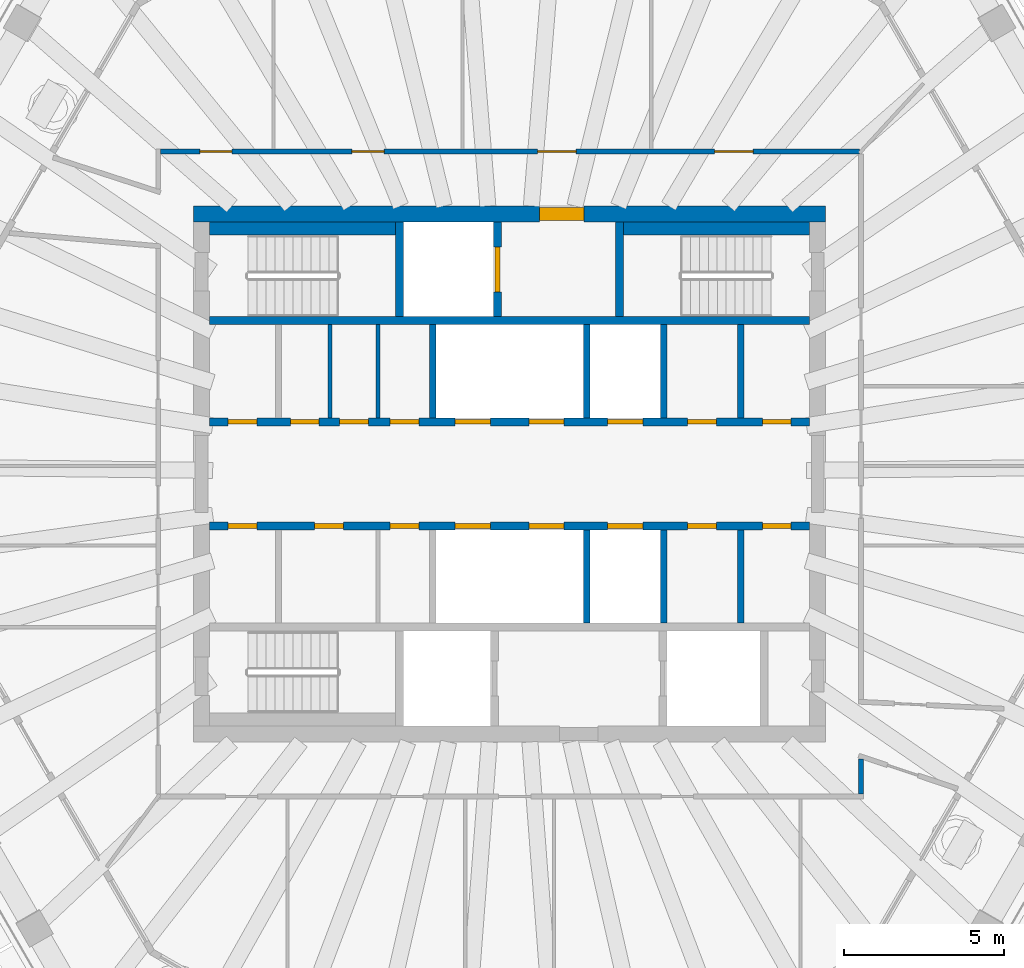
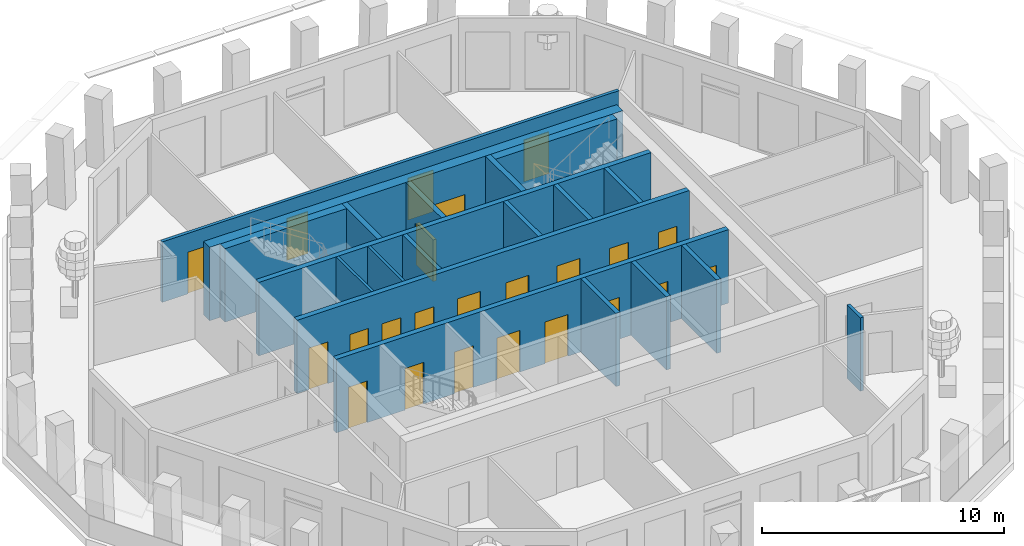
# One storey, part 5 of 11: 23 doors, 20 walls, 23 openings.
"""IFC4 building model written with IfcOpenShell, lengths in metres."""

from ifc_helpers import new_model, si_unit, direction, frame, frame_2d, origin, place, context, subcontext, project, spatial, rectangle, extrude, material, layer, layer_set, type_object, element, fill, save


model = new_model("IFC4")

# Units and contexts
model_context = context("Model", 3, precision=1e-05, world=origin(), true_north=direction((0.0, 1.0)))
body_context = subcontext(model_context, "Body", "Model", "MODEL_VIEW")
ifc_project = project(units=[si_unit("LENGTHUNIT", "METRE"), si_unit("AREAUNIT", "SQUARE_METRE"), si_unit("VOLUMEUNIT", "CUBIC_METRE"), si_unit("PLANEANGLEUNIT", "RADIAN"), si_unit("MASSUNIT", "GRAM", prefix="KILO")], contexts=[model_context])

# Site, building, storey
site_placement = place(None, origin())
site = spatial("IfcSite", under=ifc_project, at=site_placement, CompositionType="ELEMENT")
building_placement = place(site_placement, origin())
building = spatial("IfcBuilding", under=site, at=building_placement, Name="Frailejon Research Tower", CompositionType="ELEMENT")
storey_placement = place(building_placement, frame((0.0, 0.0, 316.60009765625)))
storey = spatial("IfcBuildingStorey", under=building, at=storey_placement, Name="L70", CompositionType="ELEMENT", Elevation=316.60009765625)

# Walls
ifc_material_1 = material(Name="Plasterboard on steel studs", Category="steel")
ifc_layer_1 = layer(ifc_material_1, 0.125)
ifc_layer_set_1 = layer_set([ifc_layer_1], Name="Core partition 125")
wall_type_1 = type_object("IfcWallType", Name="Core partition 125", PredefinedType="PARTITIONING", material=ifc_layer_set_1)
for number, where, z_axis, x_axis, name in (
    (1, (-5.60009765625, 1.75, 0.0), (0.0, 0.0, 1.0), (0.0, 1.0, 0.0), "Core partition"),
    (2, (-4.10009765625, 1.75, 0.0), (0.0, 0.0, 1.0), (0.0, 1.0, 0.0), "Core partition"),
):
    element("IfcWall", number, at=place(storey_placement, frame(where, z_axis=z_axis, x_axis=x_axis)), inside=storey, type_object=wall_type_1, Name=name, PredefinedType="PARTITIONING", context=body_context, shape_type="SweptSolid", body=[
        extrude(rectangle(XDim=2.89990234375, YDim=0.125, at=frame_2d((1.449951171875, 0.0))), origin(), (0.0, 0.0, 1.0), 3.699951171875),
    ])

# Wall, opening, door
ifc_material_2 = material(Name="Concrete C50/60", Category="concrete")
ifc_layer_2 = layer(ifc_material_2, 0.5)
ifc_layer_set_2 = layer_set([ifc_layer_2], Name="Core shear wall 500 C50/60")
wall_type_2 = type_object("IfcWallType", Name="Core shear wall 500 C50/60", PredefinedType="SHEAR", material=ifc_layer_set_2)
wall_1_placement = place(storey_placement, frame((-9.85009765625, 8.10009765625, 0.0), z_axis=(0.0, 0.0, 1.0), x_axis=(1.0, 0.0, 0.0)))
wall_1 = element("IfcWall", 3, at=wall_1_placement, inside=storey, type_object=wall_type_2, Name="Core shear wall", PredefinedType="SHEAR", context=body_context, shape_type="SweptSolid", body=[
    extrude(rectangle(XDim=19.7001953125, YDim=0.5, at=frame_2d((9.85009765625, 0.0))), origin(), (0.0, 0.0, 1.0), 3.699951171875),
])
opening_1_placement = place(wall_1_placement, frame((10.77490234375, 0.0, 0.0)))
opening_1 = element("IfcOpeningElement", 4, at=opening_1_placement, cuts=wall_1, Name="Opening D9", PredefinedType="OPENING", context=body_context, shape_type="SweptSolid", body=[
    extrude(rectangle(XDim=1.39990234375, YDim=2.10009765625, at=frame_2d((0.699951171875, 1.050048828125))), frame((0.0, 0.260009765625, 0.0), z_axis=(0.0, -1.0, 0.0), x_axis=(1.0, 0.0, 0.0)), (0.0, 0.0, 1.0), 0.52001953125),
])
ifc_material_3 = material(Name="Steel", Category="steel")
door_type_1 = type_object("IfcDoorType", Name="Goods lobby door", OperationType="DOUBLE_DOOR_SINGLE_SWING", PredefinedType="DOOR", material=ifc_material_3)
door_1_placement = place(opening_1_placement, origin())
door_1 = element("IfcDoor", 5, at=door_1_placement, inside=storey, type_object=door_type_1, Name="Goods lobby door", OperationType="DOUBLE_DOOR_SINGLE_SWING", OverallHeight=2.10009765625, OverallWidth=1.39990234375, PredefinedType="DOOR", context=body_context, shape_type="SweptSolid", body=[
    extrude(rectangle(XDim=1.39990234375, YDim=2.10009765625, at=frame_2d((0.699951171875, 1.050048828125))), frame((0.0, 0.199951171875, 0.0), z_axis=(0.0, -1.0, 0.0), x_axis=(1.0, 0.0, 0.0)), (0.0, 0.0, 1.0), 0.39990234375),
])
fill(opening_1, door_1)

# Wall
ifc_material_4 = material(Name="Gypsum board and masonry partition", Category="masonry")
ifc_layer_3 = layer(ifc_material_4, 0.14990234375)
ifc_layer_set_3 = layer_set([ifc_layer_3], Name="Corridor wall EI 60, gypsum on steel studs 150")
wall_type_3 = type_object("IfcWallType", Name="Corridor wall EI 60, gypsum on steel studs 150", PredefinedType="PARTITIONING", material=ifc_layer_set_3)
wall_2_placement = place(storey_placement, frame((10.949951171875, -9.97509765625, 0.0), z_axis=(0.0, 0.0, 1.0), x_axis=(0.0, 1.0, 0.0)))
element("IfcWall", 6, at=wall_2_placement, inside=storey, type_object=wall_type_3, Name="T:IW:L70:001", PredefinedType="PARTITIONING", context=body_context, shape_type="SweptSolid", body=[
    extrude(rectangle(XDim=1.10009765625, YDim=0.14990234375, at=frame_2d((0.550048828125, 0.0))), origin(), (0.0, 0.0, 1.0), 3.699951171875),
])

# Wall, openings, doors
wall_3_placement = place(storey_placement, frame((-10.875, 10.050048828125, 0.0), z_axis=(0.0, 0.0, 1.0), x_axis=(1.0, 0.0, 0.0)))
wall_3 = element("IfcWall", 7, at=wall_3_placement, inside=storey, type_object=wall_type_3, Name="T:IW:L70:003", PredefinedType="PARTITIONING", context=body_context, shape_type="SweptSolid", body=[
    extrude(rectangle(XDim=21.77490234375, YDim=0.14990234375, at=frame_2d((10.887451171875, 0.0))), origin(), (0.0, 0.0, 1.0), 3.0498046875),
])
opening_2_placement = place(wall_3_placement, frame((17.260498046875, 0.0, 0.0)))
opening_2 = element("IfcOpeningElement", 8, at=opening_2_placement, cuts=wall_3, Name="Opening D2317", PredefinedType="OPENING", context=body_context, shape_type="SweptSolid", body=[
    extrude(rectangle(XDim=1.199951171875, YDim=2.10009765625, at=frame_2d((0.60009765625, 1.050048828125))), frame((0.0, 0.0849609375, 0.0), z_axis=(0.0, -1.0, 0.0), x_axis=(1.0, 0.0, 0.0)), (0.0, 0.0, 1.0), 0.169921875),
])
opening_3_placement = place(wall_3_placement, frame((11.745849609375, 0.0, 0.0)))
opening_3 = element("IfcOpeningElement", 9, at=opening_3_placement, cuts=wall_3, Name="Opening D2318", PredefinedType="OPENING", context=body_context, shape_type="SweptSolid", body=[
    extrude(rectangle(XDim=1.199951171875, YDim=2.10009765625, at=frame_2d((0.60009765625, 1.050048828125))), frame((0.0, 0.0849609375, 0.0), z_axis=(0.0, -1.0, 0.0), x_axis=(1.0, 0.0, 0.0)), (0.0, 0.0, 1.0), 0.169921875),
])
opening_4_placement = place(wall_3_placement, frame((5.962646484375, 0.0, 0.0)))
opening_4 = element("IfcOpeningElement", 10, at=opening_4_placement, cuts=wall_3, Name="Opening D2319", PredefinedType="OPENING", context=body_context, shape_type="SweptSolid", body=[
    extrude(rectangle(XDim=1.0, YDim=2.10009765625, at=frame_2d((0.5, 1.050048828125))), frame((0.0, 0.0849609375, 0.0), z_axis=(0.0, -1.0, 0.0), x_axis=(1.0, 0.0, 0.0)), (0.0, 0.0, 1.0), 0.169921875),
])
opening_5_placement = place(wall_3_placement, frame((1.222900390625, 0.0, 0.0)))
opening_5 = element("IfcOpeningElement", 11, at=opening_5_placement, cuts=wall_3, Name="Opening D2320", PredefinedType="OPENING", context=body_context, shape_type="SweptSolid", body=[
    extrude(rectangle(XDim=1.0, YDim=2.10009765625, at=frame_2d((0.5, 1.050048828125))), frame((0.0, 0.0849609375, 0.0), z_axis=(0.0, -1.0, 0.0), x_axis=(1.0, 0.0, 0.0)), (0.0, 0.0, 1.0), 0.169921875),
])
ifc_material_5 = material(Name="Timber door leaf", Category="wood")
door_type_2 = type_object("IfcDoorType", Name="Door single leaf, timber, steel frame 1000", OperationType="NOTDEFINED", PredefinedType="DOOR", material=ifc_material_5)
door_2_placement = place(opening_4_placement, origin())
door_2 = element("IfcDoor", 12, at=door_2_placement, inside=storey, type_object=door_type_2, Name="D2319", OperationType="SINGLE_SWING_LEFT", OverallHeight=2.10009765625, OverallWidth=1.0, PredefinedType="DOOR", context=body_context, shape_type="SweptSolid", body=[
    extrude(rectangle(XDim=1.0, YDim=2.10009765625, at=frame_2d((0.5, 1.050048828125))), frame((0.0, 0.02490234375, 0.0), z_axis=(0.0, -1.0, 0.0), x_axis=(1.0, 0.0, 0.0)), (0.0, 0.0, 1.0), 0.050048828125),
])
fill(opening_4, door_2)
door_3_placement = place(opening_5_placement, origin())
door_3 = element("IfcDoor", 13, at=door_3_placement, inside=storey, type_object=door_type_2, Name="D2320", OperationType="SINGLE_SWING_LEFT", OverallHeight=2.10009765625, OverallWidth=1.0, PredefinedType="DOOR", context=body_context, shape_type="SweptSolid", body=[
    extrude(rectangle(XDim=1.0, YDim=2.10009765625, at=frame_2d((0.5, 1.050048828125))), frame((0.0, 0.02490234375, 0.0), z_axis=(0.0, -1.0, 0.0), x_axis=(1.0, 0.0, 0.0)), (0.0, 0.0, 1.0), 0.050048828125),
])
fill(opening_5, door_3)
ifc_material_6 = material(Name="Timber door leaf", Category="wood")
door_type_3 = type_object("IfcDoorType", Name="Door single leaf, timber, steel frame 1200", OperationType="NOTDEFINED", PredefinedType="DOOR", material=ifc_material_6)
door_4_placement = place(opening_2_placement, origin())
door_4 = element("IfcDoor", 14, at=door_4_placement, inside=storey, type_object=door_type_3, Name="D2317", OperationType="DOUBLE_DOOR_SINGLE_SWING", OverallHeight=2.10009765625, OverallWidth=1.199951171875, PredefinedType="DOOR", context=body_context, shape_type="SweptSolid", body=[
    extrude(rectangle(XDim=1.199951171875, YDim=2.10009765625, at=frame_2d((0.60009765625, 1.050048828125))), frame((0.0, 0.02490234375, 0.0), z_axis=(0.0, -1.0, 0.0), x_axis=(1.0, 0.0, 0.0)), (0.0, 0.0, 1.0), 0.050048828125),
])
fill(opening_2, door_4)
door_5_placement = place(opening_3_placement, origin())
door_5 = element("IfcDoor", 15, at=door_5_placement, inside=storey, type_object=door_type_3, Name="D2318", OperationType="DOUBLE_DOOR_SINGLE_SWING", OverallHeight=2.10009765625, OverallWidth=1.199951171875, PredefinedType="DOOR", context=body_context, shape_type="SweptSolid", body=[
    extrude(rectangle(XDim=1.199951171875, YDim=2.10009765625, at=frame_2d((0.60009765625, 1.050048828125))), frame((0.0, 0.02490234375, 0.0), z_axis=(0.0, -1.0, 0.0), x_axis=(1.0, 0.0, 0.0)), (0.0, 0.0, 1.0), 0.050048828125),
])
fill(opening_3, door_5)

# Walls
ifc_material_7 = material(Name="Concrete C50/60", Category="concrete")
ifc_layer_4 = layer(ifc_material_7, 0.199951171875)
ifc_layer_set_4 = layer_set([ifc_layer_4], Name="Shaft wall 200 C50/60")
wall_type_4 = type_object("IfcWallType", Name="Shaft wall 200 C50/60", PredefinedType="SOLIDWALL", material=ifc_layer_set_4)
for number, where, z_axis, x_axis, name in (
    (16, (-2.39990234375, 1.75, 0.0), (0.0, 0.0, 1.0), (0.0, 1.0, 0.0), "Shaft wall"),
    (17, (2.39990234375, 1.75, 0.0), (0.0, 0.0, 1.0), (0.0, 1.0, 0.0), "Shaft wall"),
    (18, (4.800048828125, 1.75, 0.0), (0.0, 0.0, 1.0), (0.0, 1.0, 0.0), "Shaft wall"),
    (19, (7.199951171875, 1.75, 0.0), (0.0, 0.0, 1.0), (0.0, 1.0, 0.0), "Shaft wall"),
    (20, (2.39990234375, -4.64990234375, 0.0), (0.0, 0.0, 1.0), (0.0, 1.0, 0.0), "Shaft wall"),
    (21, (4.800048828125, -4.64990234375, 0.0), (0.0, 0.0, 1.0), (0.0, 1.0, 0.0), "Shaft wall"),
    (22, (7.199951171875, -4.64990234375, 0.0), (0.0, 0.0, 1.0), (0.0, 1.0, 0.0), "Shaft wall"),
):
    element("IfcWall", number, at=place(storey_placement, frame(where, z_axis=z_axis, x_axis=x_axis)), inside=storey, type_object=wall_type_4, Name=name, PredefinedType="SOLIDWALL", context=body_context, shape_type="SweptSolid", body=[
        extrude(rectangle(XDim=2.89990234375, YDim=0.199951171875, at=frame_2d((1.449951171875, 0.0))), origin(), (0.0, 0.0, 1.0), 3.699951171875),
    ])

# Wall, openings, doors
ifc_material_8 = material(Name="Concrete C50/60", Category="concrete")
ifc_layer_5 = layer(ifc_material_8, 0.25)
ifc_layer_set_5 = layer_set([ifc_layer_5], Name="Shaft wall 250 C50/60")
wall_type_5 = type_object("IfcWallType", Name="Shaft wall 250 C50/60", PredefinedType="SOLIDWALL", material=ifc_layer_set_5)
wall_4_placement = place(storey_placement, frame((-9.35009765625, 1.625, 0.0), z_axis=(0.0, 0.0, 1.0), x_axis=(1.0, 0.0, 0.0)))
wall_4 = element("IfcWall", 23, at=wall_4_placement, inside=storey, type_object=wall_type_5, Name="Shaft wall", PredefinedType="SOLIDWALL", context=body_context, shape_type="SweptSolid", body=[
    extrude(rectangle(XDim=18.7001953125, YDim=0.25, at=frame_2d((9.35009765625, 0.0))), origin(), (0.0, 0.0, 1.0), 3.699951171875),
])
opening_6_placement = place(wall_4_placement, frame((7.64990234375, 0.0, 0.0)))
opening_6 = element("IfcOpeningElement", 24, at=opening_6_placement, cuts=wall_4, Name="Opening LD", PredefinedType="OPENING", context=body_context, shape_type="SweptSolid", body=[
    extrude(rectangle(XDim=1.10009765625, YDim=2.10009765625, at=frame_2d((0.550048828125, 1.050048828125))), frame((0.0, 0.135009765625, 0.0), z_axis=(0.0, -1.0, 0.0), x_axis=(1.0, 0.0, 0.0)), (0.0, 0.0, 1.0), 0.27001953125),
])
opening_7_placement = place(wall_4_placement, frame((9.949951171875, 0.0, 0.0)))
opening_7 = element("IfcOpeningElement", 25, at=opening_7_placement, cuts=wall_4, Name="Opening LD", PredefinedType="OPENING", context=body_context, shape_type="SweptSolid", body=[
    extrude(rectangle(XDim=1.10009765625, YDim=2.10009765625, at=frame_2d((0.550048828125, 1.050048828125))), frame((0.0, 0.135009765625, 0.0), z_axis=(0.0, -1.0, 0.0), x_axis=(1.0, 0.0, 0.0)), (0.0, 0.0, 1.0), 0.27001953125),
])
opening_8_placement = place(wall_4_placement, frame((12.39990234375, 0.0, 0.0)))
opening_8 = element("IfcOpeningElement", 26, at=opening_8_placement, cuts=wall_4, Name="Opening LD", PredefinedType="OPENING", context=body_context, shape_type="SweptSolid", body=[
    extrude(rectangle(XDim=1.10009765625, YDim=2.10009765625, at=frame_2d((0.550048828125, 1.050048828125))), frame((0.0, 0.135009765625, 0.0), z_axis=(0.0, -1.0, 0.0), x_axis=(1.0, 0.0, 0.0)), (0.0, 0.0, 1.0), 0.27001953125),
])
opening_9_placement = place(wall_4_placement, frame((0.574951171875, 0.0, 0.0)))
opening_9 = element("IfcOpeningElement", 27, at=opening_9_placement, cuts=wall_4, Name="Opening D8", PredefinedType="OPENING", context=body_context, shape_type="SweptSolid", body=[
    extrude(rectangle(XDim=0.89990234375, YDim=2.10009765625, at=frame_2d((0.449951171875, 1.050048828125))), frame((0.0, 0.135009765625, 0.0), z_axis=(0.0, -1.0, 0.0), x_axis=(1.0, 0.0, 0.0)), (0.0, 0.0, 1.0), 0.27001953125),
])
opening_10_placement = place(wall_4_placement, frame((2.518798828125, 0.0, 0.0)))
opening_10 = element("IfcOpeningElement", 28, at=opening_10_placement, cuts=wall_4, Name="Opening D8", PredefinedType="OPENING", context=body_context, shape_type="SweptSolid", body=[
    extrude(rectangle(XDim=0.89990234375, YDim=2.10009765625, at=frame_2d((0.449951171875, 1.050048828125))), frame((0.0, 0.135009765625, 0.0), z_axis=(0.0, -1.0, 0.0), x_axis=(1.0, 0.0, 0.0)), (0.0, 0.0, 1.0), 0.27001953125),
])
opening_11_placement = place(wall_4_placement, frame((4.050048828125, 0.0, 0.0)))
opening_11 = element("IfcOpeningElement", 29, at=opening_11_placement, cuts=wall_4, Name="Opening D8", PredefinedType="OPENING", context=body_context, shape_type="SweptSolid", body=[
    extrude(rectangle(XDim=0.89990234375, YDim=2.10009765625, at=frame_2d((0.449951171875, 1.050048828125))), frame((0.0, 0.135009765625, 0.0), z_axis=(0.0, -1.0, 0.0), x_axis=(1.0, 0.0, 0.0)), (0.0, 0.0, 1.0), 0.27001953125),
])
opening_12_placement = place(wall_4_placement, frame((5.631103515625, 0.0, 0.0)))
opening_12 = element("IfcOpeningElement", 30, at=opening_12_placement, cuts=wall_4, Name="Opening D8", PredefinedType="OPENING", context=body_context, shape_type="SweptSolid", body=[
    extrude(rectangle(XDim=0.89990234375, YDim=2.10009765625, at=frame_2d((0.449951171875, 1.050048828125))), frame((0.0, 0.135009765625, 0.0), z_axis=(0.0, -1.0, 0.0), x_axis=(1.0, 0.0, 0.0)), (0.0, 0.0, 1.0), 0.27001953125),
])
opening_13_placement = place(wall_4_placement, frame((14.89990234375, 0.0, 0.0)))
opening_13 = element("IfcOpeningElement", 31, at=opening_13_placement, cuts=wall_4, Name="Opening D8", PredefinedType="OPENING", context=body_context, shape_type="SweptSolid", body=[
    extrude(rectangle(XDim=0.89990234375, YDim=2.10009765625, at=frame_2d((0.449951171875, 1.050048828125))), frame((0.0, 0.135009765625, 0.0), z_axis=(0.0, -1.0, 0.0), x_axis=(1.0, 0.0, 0.0)), (0.0, 0.0, 1.0), 0.27001953125),
])
opening_14_placement = place(wall_4_placement, frame((17.22509765625, 0.0, 0.0)))
opening_14 = element("IfcOpeningElement", 32, at=opening_14_placement, cuts=wall_4, Name="Opening D8", PredefinedType="OPENING", context=body_context, shape_type="SweptSolid", body=[
    extrude(rectangle(XDim=0.89990234375, YDim=2.10009765625, at=frame_2d((0.449951171875, 1.050048828125))), frame((0.0, 0.135009765625, 0.0), z_axis=(0.0, -1.0, 0.0), x_axis=(1.0, 0.0, 0.0)), (0.0, 0.0, 1.0), 0.27001953125),
])
ifc_material_9 = material(Name="Steel", Category="steel")
door_type_4 = type_object("IfcDoorType", Name="Core room door", OperationType="SINGLE_SWING_LEFT", PredefinedType="DOOR", material=ifc_material_9)
door_6_placement = place(opening_9_placement, origin())
door_6 = element("IfcDoor", 33, at=door_6_placement, inside=storey, type_object=door_type_4, Name="Room door", OperationType="SINGLE_SWING_LEFT", OverallHeight=2.10009765625, OverallWidth=0.89990234375, PredefinedType="DOOR", context=body_context, shape_type="SweptSolid", body=[
    extrude(rectangle(XDim=0.89990234375, YDim=2.10009765625, at=frame_2d((0.449951171875, 1.050048828125))), frame((0.0, 0.074951171875, 0.0), z_axis=(0.0, -1.0, 0.0), x_axis=(1.0, 0.0, 0.0)), (0.0, 0.0, 1.0), 0.14990234375),
])
fill(opening_9, door_6)
door_7_placement = place(opening_10_placement, origin())
door_7 = element("IfcDoor", 34, at=door_7_placement, inside=storey, type_object=door_type_4, Name="Room door", OperationType="SINGLE_SWING_RIGHT", OverallHeight=2.10009765625, OverallWidth=0.89990234375, PredefinedType="DOOR", context=body_context, shape_type="SweptSolid", body=[
    extrude(rectangle(XDim=0.89990234375, YDim=2.10009765625, at=frame_2d((0.449951171875, 1.050048828125))), frame((0.0, 0.074951171875, 0.0), z_axis=(0.0, -1.0, 0.0), x_axis=(1.0, 0.0, 0.0)), (0.0, 0.0, 1.0), 0.14990234375),
])
fill(opening_10, door_7)
door_8_placement = place(opening_11_placement, origin())
door_8 = element("IfcDoor", 35, at=door_8_placement, inside=storey, type_object=door_type_4, Name="Room door", OperationType="SINGLE_SWING_LEFT", OverallHeight=2.10009765625, OverallWidth=0.89990234375, PredefinedType="DOOR", context=body_context, shape_type="SweptSolid", body=[
    extrude(rectangle(XDim=0.89990234375, YDim=2.10009765625, at=frame_2d((0.449951171875, 1.050048828125))), frame((0.0, 0.074951171875, 0.0), z_axis=(0.0, -1.0, 0.0), x_axis=(1.0, 0.0, 0.0)), (0.0, 0.0, 1.0), 0.14990234375),
])
fill(opening_11, door_8)
door_9_placement = place(opening_12_placement, origin())
door_9 = element("IfcDoor", 36, at=door_9_placement, inside=storey, type_object=door_type_4, Name="Room door", OperationType="SINGLE_SWING_RIGHT", OverallHeight=2.10009765625, OverallWidth=0.89990234375, PredefinedType="DOOR", context=body_context, shape_type="SweptSolid", body=[
    extrude(rectangle(XDim=0.89990234375, YDim=2.10009765625, at=frame_2d((0.449951171875, 1.050048828125))), frame((0.0, 0.074951171875, 0.0), z_axis=(0.0, -1.0, 0.0), x_axis=(1.0, 0.0, 0.0)), (0.0, 0.0, 1.0), 0.14990234375),
])
fill(opening_12, door_9)
door_10_placement = place(opening_13_placement, origin())
door_10 = element("IfcDoor", 37, at=door_10_placement, inside=storey, type_object=door_type_4, Name="Room door", OperationType="SINGLE_SWING_LEFT", OverallHeight=2.10009765625, OverallWidth=0.89990234375, PredefinedType="DOOR", context=body_context, shape_type="SweptSolid", body=[
    extrude(rectangle(XDim=0.89990234375, YDim=2.10009765625, at=frame_2d((0.449951171875, 1.050048828125))), frame((0.0, 0.074951171875, 0.0), z_axis=(0.0, -1.0, 0.0), x_axis=(1.0, 0.0, 0.0)), (0.0, 0.0, 1.0), 0.14990234375),
])
fill(opening_13, door_10)
door_11_placement = place(opening_14_placement, origin())
door_11 = element("IfcDoor", 38, at=door_11_placement, inside=storey, type_object=door_type_4, Name="Room door", OperationType="SINGLE_SWING_RIGHT", OverallHeight=2.10009765625, OverallWidth=0.89990234375, PredefinedType="DOOR", context=body_context, shape_type="SweptSolid", body=[
    extrude(rectangle(XDim=0.89990234375, YDim=2.10009765625, at=frame_2d((0.449951171875, 1.050048828125))), frame((0.0, 0.074951171875, 0.0), z_axis=(0.0, -1.0, 0.0), x_axis=(1.0, 0.0, 0.0)), (0.0, 0.0, 1.0), 0.14990234375),
])
fill(opening_14, door_11)
ifc_material_10 = material(Name="Steel", Category="steel")
door_type_5 = type_object("IfcDoorType", Name="Lift landing door", OperationType="DOUBLE_DOOR_SLIDING", PredefinedType="DOOR", material=ifc_material_10)
door_12_placement = place(opening_6_placement, origin())
door_12 = element("IfcDoor", 39, at=door_12_placement, inside=storey, type_object=door_type_5, Name="Lift landing door", OperationType="DOUBLE_DOOR_SLIDING", OverallHeight=2.10009765625, OverallWidth=1.10009765625, PredefinedType="DOOR", context=body_context, shape_type="SweptSolid", body=[
    extrude(rectangle(XDim=1.10009765625, YDim=2.10009765625, at=frame_2d((0.550048828125, 1.050048828125))), frame((0.0, 0.074951171875, 0.0), z_axis=(0.0, -1.0, 0.0), x_axis=(1.0, 0.0, 0.0)), (0.0, 0.0, 1.0), 0.14990234375),
])
fill(opening_6, door_12)
door_13_placement = place(opening_7_placement, origin())
door_13 = element("IfcDoor", 40, at=door_13_placement, inside=storey, type_object=door_type_5, Name="Lift landing door", OperationType="DOUBLE_DOOR_SLIDING", OverallHeight=2.10009765625, OverallWidth=1.10009765625, PredefinedType="DOOR", context=body_context, shape_type="SweptSolid", body=[
    extrude(rectangle(XDim=1.10009765625, YDim=2.10009765625, at=frame_2d((0.550048828125, 1.050048828125))), frame((0.0, 0.074951171875, 0.0), z_axis=(0.0, -1.0, 0.0), x_axis=(1.0, 0.0, 0.0)), (0.0, 0.0, 1.0), 0.14990234375),
])
fill(opening_7, door_13)
door_14_placement = place(opening_8_placement, origin())
door_14 = element("IfcDoor", 41, at=door_14_placement, inside=storey, type_object=door_type_5, Name="Lift landing door", OperationType="DOUBLE_DOOR_SLIDING", OverallHeight=2.10009765625, OverallWidth=1.10009765625, PredefinedType="DOOR", context=body_context, shape_type="SweptSolid", body=[
    extrude(rectangle(XDim=1.10009765625, YDim=2.10009765625, at=frame_2d((0.550048828125, 1.050048828125))), frame((0.0, 0.074951171875, 0.0), z_axis=(0.0, -1.0, 0.0), x_axis=(1.0, 0.0, 0.0)), (0.0, 0.0, 1.0), 0.14990234375),
])
fill(opening_8, door_14)

# Wall
wall_5_placement = place(storey_placement, frame((-9.35009765625, 4.77490234375, 0.0), z_axis=(0.0, 0.0, 1.0), x_axis=(1.0, 0.0, 0.0)))
element("IfcWall", 42, at=wall_5_placement, inside=storey, type_object=wall_type_5, Name="Shaft wall", PredefinedType="SOLIDWALL", context=body_context, shape_type="SweptSolid", body=[
    extrude(rectangle(XDim=18.7001953125, YDim=0.25, at=frame_2d((9.35009765625, 0.0))), origin(), (0.0, 0.0, 1.0), 3.699951171875),
])

# Wall, openings, doors
wall_6_placement = place(storey_placement, frame((-9.35009765625, -1.625, 0.0), z_axis=(0.0, 0.0, 1.0), x_axis=(1.0, 0.0, 0.0)))
wall_6 = element("IfcWall", 43, at=wall_6_placement, inside=storey, type_object=wall_type_5, Name="Shaft wall", PredefinedType="SOLIDWALL", context=body_context, shape_type="SweptSolid", body=[
    extrude(rectangle(XDim=18.7001953125, YDim=0.25, at=frame_2d((9.35009765625, 0.0))), origin(), (0.0, 0.0, 1.0), 3.699951171875),
])
opening_15_placement = place(wall_6_placement, frame((7.64990234375, 0.0, 0.0)))
opening_15 = element("IfcOpeningElement", 44, at=opening_15_placement, cuts=wall_6, Name="Opening LD", PredefinedType="OPENING", context=body_context, shape_type="SweptSolid", body=[
    extrude(rectangle(XDim=1.10009765625, YDim=2.10009765625, at=frame_2d((0.550048828125, 1.050048828125))), frame((0.0, 0.135009765625, 0.0), z_axis=(0.0, -1.0, 0.0), x_axis=(1.0, 0.0, 0.0)), (0.0, 0.0, 1.0), 0.27001953125),
])
opening_16_placement = place(wall_6_placement, frame((9.949951171875, 0.0, 0.0)))
opening_16 = element("IfcOpeningElement", 45, at=opening_16_placement, cuts=wall_6, Name="Opening LD", PredefinedType="OPENING", context=body_context, shape_type="SweptSolid", body=[
    extrude(rectangle(XDim=1.10009765625, YDim=2.10009765625, at=frame_2d((0.550048828125, 1.050048828125))), frame((0.0, 0.135009765625, 0.0), z_axis=(0.0, -1.0, 0.0), x_axis=(1.0, 0.0, 0.0)), (0.0, 0.0, 1.0), 0.27001953125),
])
opening_17_placement = place(wall_6_placement, frame((12.39990234375, 0.0, 0.0)))
opening_17 = element("IfcOpeningElement", 46, at=opening_17_placement, cuts=wall_6, Name="Opening LD", PredefinedType="OPENING", context=body_context, shape_type="SweptSolid", body=[
    extrude(rectangle(XDim=1.10009765625, YDim=2.10009765625, at=frame_2d((0.550048828125, 1.050048828125))), frame((0.0, 0.135009765625, 0.0), z_axis=(0.0, -1.0, 0.0), x_axis=(1.0, 0.0, 0.0)), (0.0, 0.0, 1.0), 0.27001953125),
])
opening_18_placement = place(wall_6_placement, frame((0.574951171875, 0.0, 0.0)))
opening_18 = element("IfcOpeningElement", 47, at=opening_18_placement, cuts=wall_6, Name="Opening D8", PredefinedType="OPENING", context=body_context, shape_type="SweptSolid", body=[
    extrude(rectangle(XDim=0.89990234375, YDim=2.10009765625, at=frame_2d((0.449951171875, 1.050048828125))), frame((0.0, 0.135009765625, 0.0), z_axis=(0.0, -1.0, 0.0), x_axis=(1.0, 0.0, 0.0)), (0.0, 0.0, 1.0), 0.27001953125),
])
opening_19_placement = place(wall_6_placement, frame((3.268798828125, 0.0, 0.0)))
opening_19 = element("IfcOpeningElement", 48, at=opening_19_placement, cuts=wall_6, Name="Opening D8", PredefinedType="OPENING", context=body_context, shape_type="SweptSolid", body=[
    extrude(rectangle(XDim=0.89990234375, YDim=2.10009765625, at=frame_2d((0.449951171875, 1.050048828125))), frame((0.0, 0.135009765625, 0.0), z_axis=(0.0, -1.0, 0.0), x_axis=(1.0, 0.0, 0.0)), (0.0, 0.0, 1.0), 0.27001953125),
])
opening_20_placement = place(wall_6_placement, frame((5.631103515625, 0.0, 0.0)))
opening_20 = element("IfcOpeningElement", 49, at=opening_20_placement, cuts=wall_6, Name="Opening D8", PredefinedType="OPENING", context=body_context, shape_type="SweptSolid", body=[
    extrude(rectangle(XDim=0.89990234375, YDim=2.10009765625, at=frame_2d((0.449951171875, 1.050048828125))), frame((0.0, 0.135009765625, 0.0), z_axis=(0.0, -1.0, 0.0), x_axis=(1.0, 0.0, 0.0)), (0.0, 0.0, 1.0), 0.27001953125),
])
opening_21_placement = place(wall_6_placement, frame((14.89990234375, 0.0, 0.0)))
opening_21 = element("IfcOpeningElement", 50, at=opening_21_placement, cuts=wall_6, Name="Opening D8", PredefinedType="OPENING", context=body_context, shape_type="SweptSolid", body=[
    extrude(rectangle(XDim=0.89990234375, YDim=2.10009765625, at=frame_2d((0.449951171875, 1.050048828125))), frame((0.0, 0.135009765625, 0.0), z_axis=(0.0, -1.0, 0.0), x_axis=(1.0, 0.0, 0.0)), (0.0, 0.0, 1.0), 0.27001953125),
])
opening_22_placement = place(wall_6_placement, frame((17.22509765625, 0.0, 0.0)))
opening_22 = element("IfcOpeningElement", 51, at=opening_22_placement, cuts=wall_6, Name="Opening D8", PredefinedType="OPENING", context=body_context, shape_type="SweptSolid", body=[
    extrude(rectangle(XDim=0.89990234375, YDim=2.10009765625, at=frame_2d((0.449951171875, 1.050048828125))), frame((0.0, 0.135009765625, 0.0), z_axis=(0.0, -1.0, 0.0), x_axis=(1.0, 0.0, 0.0)), (0.0, 0.0, 1.0), 0.27001953125),
])
door_15_placement = place(opening_18_placement, origin())
door_15 = element("IfcDoor", 52, at=door_15_placement, inside=storey, type_object=door_type_4, Name="Room door", OperationType="SINGLE_SWING_LEFT", OverallHeight=2.10009765625, OverallWidth=0.89990234375, PredefinedType="DOOR", context=body_context, shape_type="SweptSolid", body=[
    extrude(rectangle(XDim=0.89990234375, YDim=2.10009765625, at=frame_2d((0.449951171875, 1.050048828125))), frame((0.0, 0.074951171875, 0.0), z_axis=(0.0, -1.0, 0.0), x_axis=(1.0, 0.0, 0.0)), (0.0, 0.0, 1.0), 0.14990234375),
])
fill(opening_18, door_15)
door_16_placement = place(opening_19_placement, origin())
door_16 = element("IfcDoor", 53, at=door_16_placement, inside=storey, type_object=door_type_4, Name="Room door", OperationType="SINGLE_SWING_RIGHT", OverallHeight=2.10009765625, OverallWidth=0.89990234375, PredefinedType="DOOR", context=body_context, shape_type="SweptSolid", body=[
    extrude(rectangle(XDim=0.89990234375, YDim=2.10009765625, at=frame_2d((0.449951171875, 1.050048828125))), frame((0.0, 0.074951171875, 0.0), z_axis=(0.0, -1.0, 0.0), x_axis=(1.0, 0.0, 0.0)), (0.0, 0.0, 1.0), 0.14990234375),
])
fill(opening_19, door_16)
door_17_placement = place(opening_20_placement, origin())
door_17 = element("IfcDoor", 54, at=door_17_placement, inside=storey, type_object=door_type_4, Name="Room door", OperationType="SINGLE_SWING_LEFT", OverallHeight=2.10009765625, OverallWidth=0.89990234375, PredefinedType="DOOR", context=body_context, shape_type="SweptSolid", body=[
    extrude(rectangle(XDim=0.89990234375, YDim=2.10009765625, at=frame_2d((0.449951171875, 1.050048828125))), frame((0.0, 0.074951171875, 0.0), z_axis=(0.0, -1.0, 0.0), x_axis=(1.0, 0.0, 0.0)), (0.0, 0.0, 1.0), 0.14990234375),
])
fill(opening_20, door_17)
door_18_placement = place(opening_21_placement, origin())
door_18 = element("IfcDoor", 55, at=door_18_placement, inside=storey, type_object=door_type_4, Name="Room door", OperationType="SINGLE_SWING_RIGHT", OverallHeight=2.10009765625, OverallWidth=0.89990234375, PredefinedType="DOOR", context=body_context, shape_type="SweptSolid", body=[
    extrude(rectangle(XDim=0.89990234375, YDim=2.10009765625, at=frame_2d((0.449951171875, 1.050048828125))), frame((0.0, 0.074951171875, 0.0), z_axis=(0.0, -1.0, 0.0), x_axis=(1.0, 0.0, 0.0)), (0.0, 0.0, 1.0), 0.14990234375),
])
fill(opening_21, door_18)
door_19_placement = place(opening_22_placement, origin())
door_19 = element("IfcDoor", 56, at=door_19_placement, inside=storey, type_object=door_type_4, Name="Room door", OperationType="SINGLE_SWING_LEFT", OverallHeight=2.10009765625, OverallWidth=0.89990234375, PredefinedType="DOOR", context=body_context, shape_type="SweptSolid", body=[
    extrude(rectangle(XDim=0.89990234375, YDim=2.10009765625, at=frame_2d((0.449951171875, 1.050048828125))), frame((0.0, 0.074951171875, 0.0), z_axis=(0.0, -1.0, 0.0), x_axis=(1.0, 0.0, 0.0)), (0.0, 0.0, 1.0), 0.14990234375),
])
fill(opening_22, door_19)
door_20_placement = place(opening_15_placement, origin())
door_20 = element("IfcDoor", 57, at=door_20_placement, inside=storey, type_object=door_type_5, Name="Lift landing door", OperationType="DOUBLE_DOOR_SLIDING", OverallHeight=2.10009765625, OverallWidth=1.10009765625, PredefinedType="DOOR", context=body_context, shape_type="SweptSolid", body=[
    extrude(rectangle(XDim=1.10009765625, YDim=2.10009765625, at=frame_2d((0.550048828125, 1.050048828125))), frame((0.0, 0.074951171875, 0.0), z_axis=(0.0, -1.0, 0.0), x_axis=(1.0, 0.0, 0.0)), (0.0, 0.0, 1.0), 0.14990234375),
])
fill(opening_15, door_20)
door_21_placement = place(opening_16_placement, origin())
door_21 = element("IfcDoor", 58, at=door_21_placement, inside=storey, type_object=door_type_5, Name="Lift landing door", OperationType="DOUBLE_DOOR_SLIDING", OverallHeight=2.10009765625, OverallWidth=1.10009765625, PredefinedType="DOOR", context=body_context, shape_type="SweptSolid", body=[
    extrude(rectangle(XDim=1.10009765625, YDim=2.10009765625, at=frame_2d((0.550048828125, 1.050048828125))), frame((0.0, 0.074951171875, 0.0), z_axis=(0.0, -1.0, 0.0), x_axis=(1.0, 0.0, 0.0)), (0.0, 0.0, 1.0), 0.14990234375),
])
fill(opening_16, door_21)
door_22_placement = place(opening_17_placement, origin())
door_22 = element("IfcDoor", 59, at=door_22_placement, inside=storey, type_object=door_type_5, Name="Lift landing door", OperationType="DOUBLE_DOOR_SLIDING", OverallHeight=2.10009765625, OverallWidth=1.10009765625, PredefinedType="DOOR", context=body_context, shape_type="SweptSolid", body=[
    extrude(rectangle(XDim=1.10009765625, YDim=2.10009765625, at=frame_2d((0.550048828125, 1.050048828125))), frame((0.0, 0.074951171875, 0.0), z_axis=(0.0, -1.0, 0.0), x_axis=(1.0, 0.0, 0.0)), (0.0, 0.0, 1.0), 0.14990234375),
])
fill(opening_17, door_22)

# Wall
wall_7_placement = place(storey_placement, frame((-3.425048828125, 4.89990234375, 0.0), z_axis=(0.0, 0.0, 1.0), x_axis=(0.0, 1.0, 0.0)))
element("IfcWall", 60, at=wall_7_placement, inside=storey, type_object=wall_type_5, Name="Shaft wall", PredefinedType="SOLIDWALL", context=body_context, shape_type="SweptSolid", body=[
    extrude(rectangle(XDim=2.9501953125, YDim=0.25, at=frame_2d((1.47509765625, 0.0))), origin(), (0.0, 0.0, 1.0), 3.699951171875),
])

# Wall, opening, door
wall_8_placement = place(storey_placement, frame((-0.375, 4.89990234375, 0.0), z_axis=(0.0, 0.0, 1.0), x_axis=(0.0, 1.0, 0.0)))
wall_8 = element("IfcWall", 61, at=wall_8_placement, inside=storey, type_object=wall_type_5, Name="Shaft wall", PredefinedType="SOLIDWALL", context=body_context, shape_type="SweptSolid", body=[
    extrude(rectangle(XDim=2.9501953125, YDim=0.25, at=frame_2d((1.47509765625, 0.0))), origin(), (0.0, 0.0, 1.0), 3.699951171875),
])
opening_23_placement = place(wall_8_placement, frame((0.77490234375, 0.0, 0.0)))
opening_23 = element("IfcOpeningElement", 62, at=opening_23_placement, cuts=wall_8, Name="Opening LD2", PredefinedType="OPENING", context=body_context, shape_type="SweptSolid", body=[
    extrude(rectangle(XDim=1.39990234375, YDim=2.10009765625, at=frame_2d((0.699951171875, 1.050048828125))), frame((0.0, 0.135009765625, 0.0), z_axis=(0.0, -1.0, 0.0), x_axis=(1.0, 0.0, 0.0)), (0.0, 0.0, 1.0), 0.27001953125),
])
ifc_material_11 = material(Name="Stainless steel", Category="steel")
door_type_6 = type_object("IfcDoorType", Name="Goods landing door", OperationType="DOUBLE_DOOR_SLIDING", PredefinedType="DOOR", material=ifc_material_11)
door_23_placement = place(opening_23_placement, origin())
door_23 = element("IfcDoor", 63, at=door_23_placement, inside=storey, type_object=door_type_6, Name="Lift landing door", OperationType="DOUBLE_DOOR_SLIDING", OverallHeight=2.10009765625, OverallWidth=1.39990234375, PredefinedType="DOOR", context=body_context, shape_type="SweptSolid", body=[
    extrude(rectangle(XDim=1.39990234375, YDim=2.10009765625, at=frame_2d((0.699951171875, 1.050048828125))), frame((0.0, 0.074951171875, 0.0), z_axis=(0.0, -1.0, 0.0), x_axis=(1.0, 0.0, 0.0)), (0.0, 0.0, 1.0), 0.14990234375),
])
fill(opening_23, door_23)

# Walls
wall_9_placement = place(storey_placement, frame((3.425048828125, 4.89990234375, 0.0), z_axis=(0.0, 0.0, 1.0), x_axis=(0.0, 1.0, 0.0)))
element("IfcWall", 64, at=wall_9_placement, inside=storey, type_object=wall_type_5, Name="Shaft wall", PredefinedType="SOLIDWALL", context=body_context, shape_type="SweptSolid", body=[
    extrude(rectangle(XDim=2.9501953125, YDim=0.25, at=frame_2d((1.47509765625, 0.0))), origin(), (0.0, 0.0, 1.0), 3.699951171875),
])
ifc_material_12 = material(Name="Concrete C50/60", Category="concrete")
ifc_layer_6 = layer(ifc_material_12, 0.39990234375)
ifc_layer_set_6 = layer_set([ifc_layer_6], Name="Shaft wall 400 C50/60")
wall_type_6 = type_object("IfcWallType", Name="Shaft wall 400 C50/60", PredefinedType="SOLIDWALL", material=ifc_layer_set_6)
for number, where, z_axis, x_axis, name in (
    (65, (-9.35009765625, 7.64990234375, 0.0), (0.0, 0.0, 1.0), (1.0, 0.0, 0.0), "Shaft wall"),
    (66, (3.550048828125, 7.64990234375, 0.0), (0.0, 0.0, 1.0), (1.0, 0.0, 0.0), "Shaft wall"),
):
    element("IfcWall", number, at=place(storey_placement, frame(where, z_axis=z_axis, x_axis=x_axis)), inside=storey, type_object=wall_type_6, Name=name, PredefinedType="SOLIDWALL", context=body_context, shape_type="SweptSolid", body=[
        extrude(rectangle(XDim=5.800048828125, YDim=0.39990234375, at=frame_2d((2.89990234375, 0.0))), origin(), (0.0, 0.0, 1.0), 3.699951171875),
    ])

save(model, "model.ifc")
